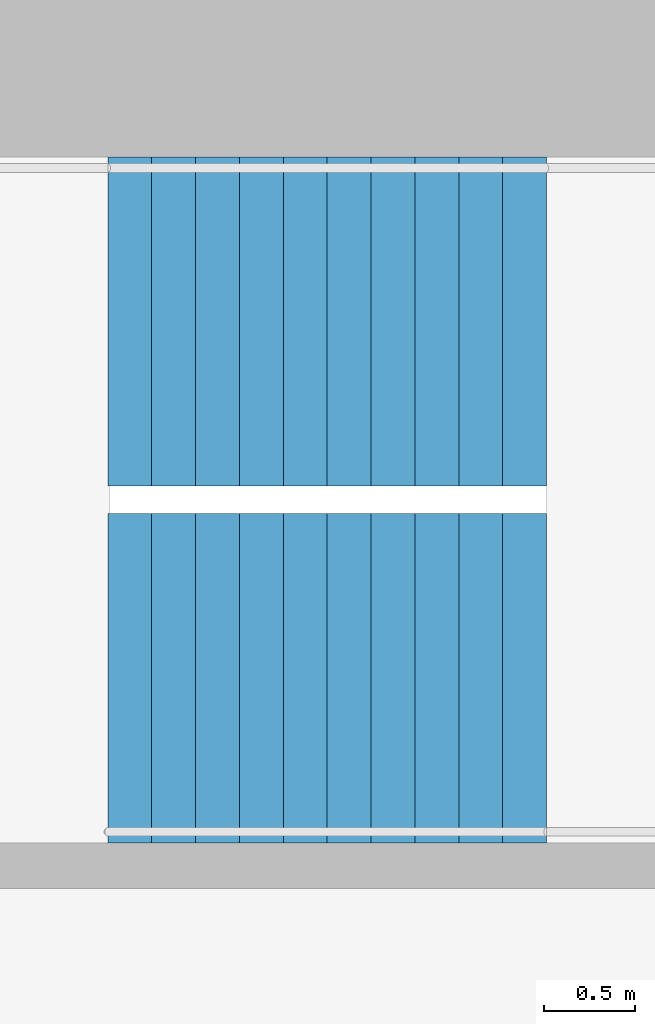
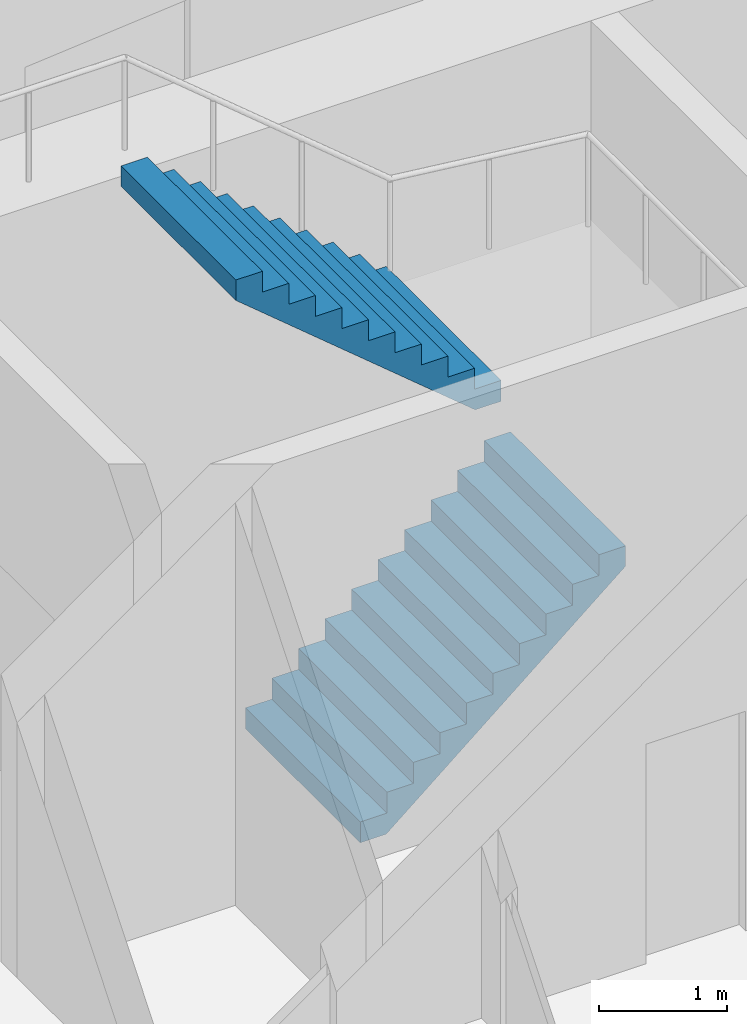
# One storey, part 29 of 33: 2 stair flights, 1 element without a shape of its own.
"""IFC4 building model written with IfcOpenShell, lengths in metres."""

from ifc_helpers import new_model, si_unit, direction, frame, origin, place, context, subcontext, project, spatial, triangles, material, type_object, element, aggregate, save


model = new_model("IFC4")

# Units and contexts
model_context = context("Model", 3, precision=1e-05, world=origin(), true_north=direction((0.0, 1.0)))
body_context = subcontext(model_context, "Body", "Model", "MODEL_VIEW")
ifc_project = project(units=[si_unit("LENGTHUNIT", "METRE"), si_unit("AREAUNIT", "SQUARE_METRE"), si_unit("VOLUMEUNIT", "CUBIC_METRE"), si_unit("PLANEANGLEUNIT", "RADIAN"), si_unit("MASSUNIT", "GRAM", prefix="KILO")], contexts=[model_context])

# Site, building, storey
site_placement = place(None, origin())
site = spatial("IfcSite", under=ifc_project, at=site_placement, CompositionType="ELEMENT")
building_placement = place(site_placement, origin())
building = spatial("IfcBuilding", under=site, at=building_placement, Name="Hakoniwa Tower and Hamabe Station Hall", CompositionType="ELEMENT")
storey_placement = place(building_placement, frame((0.0, 0.0, 228.199951171875)))
storey = spatial("IfcBuildingStorey", under=building, at=storey_placement, Name="L65", CompositionType="ELEMENT", Elevation=228.199951171875)

# Stair, stair flights
ifc_material_1 = material(Name="Concrete C40", Category="concrete")
stair_type = type_object("IfcStairType", Name="ESCAPE STAIR 1800", PredefinedType="HALF_TURN_STAIR", material=ifc_material_1)
stair_placement = place(storey_placement, origin())
stair = element("IfcStair", 1, at=stair_placement, inside=storey, type_object=stair_type, Name="Escape stair ST-1 L65", PredefinedType="HALF_TURN_STAIR")
ifc_material_2 = material(Name="Concrete C40", Category="concrete")
stair_flight_type = type_object("IfcStairFlightType", Name="STAIR FLIGHT 1800", PredefinedType="STRAIGHT", material=ifc_material_2)
stair_flight_1_placement = place(storey_placement, frame((-24.39990234375, 4.64990234375, 0.0), z_axis=(0.0, 0.0, 1.0), x_axis=(1.0, 0.0, 0.0)))
stair_flight_1 = element("IfcStairFlight", 2, at=stair_flight_1_placement, type_object=stair_flight_type, Name="ST-1 flight 1", NumberOfRisers=11, NumberOfTreads=10, PredefinedType="STRAIGHT", RiserHeight=0.2, TreadLength=0.24, context=body_context, shape_type="Tessellation", body=[
    triangles([(0.0, 0.89990234375, 0.0), (0.234130859375, 0.89990234375, 0.0), (0.239990234375, 0.89990234375, 0.0048828125), (0.47998046875, 0.89990234375, 0.204833984375), (0.719970703125, 0.89990234375, 0.40478515625), (0.9599609375, 0.89990234375, 0.60498046875), (1.199951171875, 0.89990234375, 0.804931640625), (1.43994140625, 0.89990234375, 1.0048828125), (1.679931640625, 0.89990234375, 1.204833984375), (1.919921875, 0.89990234375, 1.40478515625), (2.159912109375, 0.89990234375, 1.60498046875), (2.39990234375, 0.89990234375, 1.804931640625), (2.39990234375, 0.89990234375, 2.0), (2.159912109375, 0.89990234375, 2.0), (2.159912109375, 0.89990234375, 1.800048828125), (1.919921875, 0.89990234375, 1.800048828125), (1.919921875, 0.89990234375, 1.60009765625), (1.679931640625, 0.89990234375, 1.60009765625), (1.679931640625, 0.89990234375, 1.39990234375), (1.43994140625, 0.89990234375, 1.39990234375), (1.43994140625, 0.89990234375, 1.199951171875), (1.199951171875, 0.89990234375, 1.199951171875), (1.199951171875, 0.89990234375, 1.0), (0.9599609375, 0.89990234375, 1.0), (0.9599609375, 0.89990234375, 0.800048828125), (0.719970703125, 0.89990234375, 0.800048828125), (0.719970703125, 0.89990234375, 0.60009765625), (0.47998046875, 0.89990234375, 0.60009765625), (0.47998046875, 0.89990234375, 0.39990234375), (0.239990234375, 0.89990234375, 0.39990234375), (0.239990234375, 0.89990234375, 0.199951171875), (0.234130859375, 0.89990234375, 0.199951171875), (0.0, 0.89990234375, 0.199951171875), (0.0, 0.06005859375, 0.0), (0.234130859375, 0.06005859375, 0.0), (0.239990234375, 0.06005859375, 0.0048828125), (0.47998046875, 0.06005859375, 0.204833984375), (0.719970703125, 0.06005859375, 0.40478515625), (0.9599609375, 0.06005859375, 0.60498046875), (1.199951171875, 0.06005859375, 0.804931640625), (1.43994140625, 0.06005859375, 1.0048828125), (1.679931640625, 0.06005859375, 1.204833984375), (1.919921875, 0.06005859375, 1.40478515625), (2.159912109375, 0.06005859375, 1.60498046875), (2.39990234375, 0.06005859375, 1.804931640625), (2.39990234375, 0.06005859375, 2.0), (2.159912109375, 0.06005859375, 2.0), (2.159912109375, 0.06005859375, 1.800048828125), (1.919921875, 0.06005859375, 1.800048828125), (1.919921875, 0.06005859375, 1.60009765625), (1.679931640625, 0.06005859375, 1.60009765625), (1.679931640625, 0.06005859375, 1.39990234375), (1.43994140625, 0.06005859375, 1.39990234375), (1.43994140625, 0.06005859375, 1.199951171875), (1.199951171875, 0.06005859375, 1.199951171875), (1.199951171875, 0.06005859375, 1.0), (0.9599609375, 0.06005859375, 1.0), (0.9599609375, 0.06005859375, 0.800048828125), (0.719970703125, 0.06005859375, 0.800048828125), (0.719970703125, 0.06005859375, 0.60009765625), (0.47998046875, 0.06005859375, 0.60009765625), (0.47998046875, 0.06005859375, 0.39990234375), (0.239990234375, 0.06005859375, 0.39990234375), (0.239990234375, 0.06005859375, 0.199951171875), (0.234130859375, 0.06005859375, 0.199951171875), (0.0, 0.06005859375, 0.199951171875), (0.0, 0.02001953125, 0.0), (0.234130859375, 0.02001953125, 0.0), (0.239990234375, 0.02001953125, 0.0048828125), (0.47998046875, 0.02001953125, 0.204833984375), (0.719970703125, 0.02001953125, 0.40478515625), (0.9599609375, 0.02001953125, 0.60498046875), (1.199951171875, 0.02001953125, 0.804931640625), (1.43994140625, 0.02001953125, 1.0048828125), (1.679931640625, 0.02001953125, 1.204833984375), (1.919921875, 0.02001953125, 1.40478515625), (2.159912109375, 0.02001953125, 1.60498046875), (2.39990234375, 0.02001953125, 1.804931640625), (2.39990234375, 0.02001953125, 2.0), (2.159912109375, 0.02001953125, 2.0), (2.159912109375, 0.02001953125, 1.800048828125), (1.919921875, 0.02001953125, 1.800048828125), (1.919921875, 0.02001953125, 1.60009765625), (1.679931640625, 0.02001953125, 1.60009765625), (1.679931640625, 0.02001953125, 1.39990234375), (1.43994140625, 0.02001953125, 1.39990234375), (1.43994140625, 0.02001953125, 1.199951171875), (1.199951171875, 0.02001953125, 1.199951171875), (1.199951171875, 0.02001953125, 1.0), (0.9599609375, 0.02001953125, 1.0), (0.9599609375, 0.02001953125, 0.800048828125), (0.719970703125, 0.02001953125, 0.800048828125), (0.719970703125, 0.02001953125, 0.60009765625), (0.47998046875, 0.02001953125, 0.60009765625), (0.47998046875, 0.02001953125, 0.39990234375), (0.239990234375, 0.02001953125, 0.39990234375), (0.239990234375, 0.02001953125, 0.199951171875), (0.234130859375, 0.02001953125, 0.199951171875), (0.0, 0.02001953125, 0.199951171875), (0.0, -0.02001953125, 0.0), (0.234130859375, -0.02001953125, 0.0), (0.239990234375, -0.02001953125, 0.0048828125), (0.47998046875, -0.02001953125, 0.204833984375), (0.719970703125, -0.02001953125, 0.40478515625), (0.9599609375, -0.02001953125, 0.60498046875), (1.199951171875, -0.02001953125, 0.804931640625), (1.43994140625, -0.02001953125, 1.0048828125), (1.679931640625, -0.02001953125, 1.204833984375), (1.919921875, -0.02001953125, 1.40478515625), (2.159912109375, -0.02001953125, 1.60498046875), (2.39990234375, -0.02001953125, 1.804931640625), (2.39990234375, -0.02001953125, 2.0), (2.159912109375, -0.02001953125, 2.0), (2.159912109375, -0.02001953125, 1.800048828125), (1.919921875, -0.02001953125, 1.800048828125), (1.919921875, -0.02001953125, 1.60009765625), (1.679931640625, -0.02001953125, 1.60009765625), (1.679931640625, -0.02001953125, 1.39990234375), (1.43994140625, -0.02001953125, 1.39990234375), (1.43994140625, -0.02001953125, 1.199951171875), (1.199951171875, -0.02001953125, 1.199951171875), (1.199951171875, -0.02001953125, 1.0), (0.9599609375, -0.02001953125, 1.0), (0.9599609375, -0.02001953125, 0.800048828125), (0.719970703125, -0.02001953125, 0.800048828125), (0.719970703125, -0.02001953125, 0.60009765625), (0.47998046875, -0.02001953125, 0.60009765625), (0.47998046875, -0.02001953125, 0.39990234375), (0.239990234375, -0.02001953125, 0.39990234375), (0.239990234375, -0.02001953125, 0.199951171875), (0.234130859375, -0.02001953125, 0.199951171875), (0.0, -0.02001953125, 0.199951171875), (0.0, -0.06005859375, 0.0), (0.234130859375, -0.06005859375, 0.0), (0.239990234375, -0.06005859375, 0.0048828125), (0.47998046875, -0.06005859375, 0.204833984375), (0.719970703125, -0.06005859375, 0.40478515625), (0.9599609375, -0.06005859375, 0.60498046875), (1.199951171875, -0.06005859375, 0.804931640625), (1.43994140625, -0.06005859375, 1.0048828125), (1.679931640625, -0.06005859375, 1.204833984375), (1.919921875, -0.06005859375, 1.40478515625), (2.159912109375, -0.06005859375, 1.60498046875), (2.39990234375, -0.06005859375, 1.804931640625), (2.39990234375, -0.06005859375, 2.0), (2.159912109375, -0.06005859375, 2.0), (2.159912109375, -0.06005859375, 1.800048828125), (1.919921875, -0.06005859375, 1.800048828125), (1.919921875, -0.06005859375, 1.60009765625), (1.679931640625, -0.06005859375, 1.60009765625), (1.679931640625, -0.06005859375, 1.39990234375), (1.43994140625, -0.06005859375, 1.39990234375), (1.43994140625, -0.06005859375, 1.199951171875), (1.199951171875, -0.06005859375, 1.199951171875), (1.199951171875, -0.06005859375, 1.0), (0.9599609375, -0.06005859375, 1.0), (0.9599609375, -0.06005859375, 0.800048828125), (0.719970703125, -0.06005859375, 0.800048828125), (0.719970703125, -0.06005859375, 0.60009765625), (0.47998046875, -0.06005859375, 0.60009765625), (0.47998046875, -0.06005859375, 0.39990234375), (0.239990234375, -0.06005859375, 0.39990234375), (0.239990234375, -0.06005859375, 0.199951171875), (0.234130859375, -0.06005859375, 0.199951171875), (0.0, -0.06005859375, 0.199951171875), (0.0, -0.89990234375, 0.0), (0.234130859375, -0.89990234375, 0.0), (0.239990234375, -0.89990234375, 0.0048828125), (0.47998046875, -0.89990234375, 0.204833984375), (0.719970703125, -0.89990234375, 0.40478515625), (0.9599609375, -0.89990234375, 0.60498046875), (1.199951171875, -0.89990234375, 0.804931640625), (1.43994140625, -0.89990234375, 1.0048828125), (1.679931640625, -0.89990234375, 1.204833984375), (1.919921875, -0.89990234375, 1.40478515625), (2.159912109375, -0.89990234375, 1.60498046875), (2.39990234375, -0.89990234375, 1.804931640625), (2.39990234375, -0.89990234375, 2.0), (2.159912109375, -0.89990234375, 2.0), (2.159912109375, -0.89990234375, 1.800048828125), (1.919921875, -0.89990234375, 1.800048828125), (1.919921875, -0.89990234375, 1.60009765625), (1.679931640625, -0.89990234375, 1.60009765625), (1.679931640625, -0.89990234375, 1.39990234375), (1.43994140625, -0.89990234375, 1.39990234375), (1.43994140625, -0.89990234375, 1.199951171875), (1.199951171875, -0.89990234375, 1.199951171875), (1.199951171875, -0.89990234375, 1.0), (0.9599609375, -0.89990234375, 1.0), (0.9599609375, -0.89990234375, 0.800048828125), (0.719970703125, -0.89990234375, 0.800048828125), (0.719970703125, -0.89990234375, 0.60009765625), (0.47998046875, -0.89990234375, 0.60009765625), (0.47998046875, -0.89990234375, 0.39990234375), (0.239990234375, -0.89990234375, 0.39990234375), (0.239990234375, -0.89990234375, 0.199951171875), (0.234130859375, -0.89990234375, 0.199951171875), (0.0, -0.89990234375, 0.199951171875)], [[2, 33, 32], [167, 197, 198], [2, 1, 33], [167, 198, 166], [3, 32, 31], [168, 196, 197], [3, 2, 32], [168, 197, 167], [4, 30, 29], [169, 194, 195], [4, 31, 30], [169, 195, 196], [4, 3, 31], [169, 196, 168], [5, 28, 27], [170, 192, 193], [5, 29, 28], [170, 193, 194], [5, 4, 29], [170, 194, 169], [6, 26, 25], [171, 190, 191], [6, 27, 26], [171, 191, 192], [6, 5, 27], [171, 192, 170], [7, 24, 23], [172, 188, 189], [7, 25, 24], [172, 189, 190], [7, 6, 25], [172, 190, 171], [8, 22, 21], [173, 186, 187], [8, 23, 22], [173, 187, 188], [8, 7, 23], [173, 188, 172], [9, 20, 19], [174, 184, 185], [9, 21, 20], [174, 185, 186], [9, 8, 21], [174, 186, 173], [10, 18, 17], [175, 182, 183], [10, 19, 18], [175, 183, 184], [10, 9, 19], [175, 184, 174], [11, 16, 15], [176, 180, 181], [11, 17, 16], [176, 181, 182], [11, 10, 17], [176, 182, 175], [12, 14, 13], [177, 178, 179], [12, 15, 14], [177, 179, 180], [12, 11, 15], [177, 180, 176], [1, 2, 35], [1, 35, 34], [34, 35, 68], [34, 68, 67], [67, 68, 101], [67, 101, 100], [100, 101, 134], [100, 134, 133], [133, 134, 167], [133, 167, 166], [2, 3, 36], [2, 36, 35], [35, 36, 69], [35, 69, 68], [68, 69, 102], [68, 102, 101], [101, 102, 135], [101, 135, 134], [134, 135, 168], [134, 168, 167], [3, 4, 37], [3, 37, 36], [36, 37, 70], [36, 70, 69], [69, 70, 103], [69, 103, 102], [102, 103, 136], [102, 136, 135], [135, 136, 169], [135, 169, 168], [4, 5, 38], [4, 38, 37], [37, 38, 71], [37, 71, 70], [70, 71, 104], [70, 104, 103], [103, 104, 137], [103, 137, 136], [136, 137, 170], [136, 170, 169], [5, 6, 39], [5, 39, 38], [38, 39, 72], [38, 72, 71], [71, 72, 105], [71, 105, 104], [104, 105, 138], [104, 138, 137], [137, 138, 171], [137, 171, 170], [6, 7, 40], [6, 40, 39], [39, 40, 73], [39, 73, 72], [72, 73, 106], [72, 106, 105], [105, 106, 139], [105, 139, 138], [138, 139, 172], [138, 172, 171], [7, 8, 41], [7, 41, 40], [40, 41, 74], [40, 74, 73], [73, 74, 107], [73, 107, 106], [106, 107, 140], [106, 140, 139], [139, 140, 173], [139, 173, 172], [8, 9, 42], [8, 42, 41], [41, 42, 75], [41, 75, 74], [74, 75, 108], [74, 108, 107], [107, 108, 141], [107, 141, 140], [140, 141, 174], [140, 174, 173], [9, 10, 43], [9, 43, 42], [42, 43, 76], [42, 76, 75], [75, 76, 109], [75, 109, 108], [108, 109, 142], [108, 142, 141], [141, 142, 175], [141, 175, 174], [10, 11, 44], [10, 44, 43], [43, 44, 77], [43, 77, 76], [76, 77, 110], [76, 110, 109], [109, 110, 143], [109, 143, 142], [142, 143, 176], [142, 176, 175], [11, 12, 45], [11, 45, 44], [44, 45, 78], [44, 78, 77], [77, 78, 111], [77, 111, 110], [110, 111, 144], [110, 144, 143], [143, 144, 177], [143, 177, 176], [12, 13, 46], [12, 46, 45], [45, 46, 79], [45, 79, 78], [78, 79, 112], [78, 112, 111], [111, 112, 145], [111, 145, 144], [144, 145, 178], [144, 178, 177], [13, 14, 47], [13, 47, 46], [46, 47, 80], [46, 80, 79], [79, 80, 113], [79, 113, 112], [112, 113, 146], [112, 146, 145], [145, 146, 179], [145, 179, 178], [14, 15, 48], [14, 48, 47], [47, 48, 81], [47, 81, 80], [80, 81, 114], [80, 114, 113], [113, 114, 147], [113, 147, 146], [146, 147, 180], [146, 180, 179], [15, 16, 49], [15, 49, 48], [48, 49, 82], [48, 82, 81], [81, 82, 115], [81, 115, 114], [114, 115, 148], [114, 148, 147], [147, 148, 181], [147, 181, 180], [16, 17, 50], [16, 50, 49], [49, 50, 83], [49, 83, 82], [82, 83, 116], [82, 116, 115], [115, 116, 149], [115, 149, 148], [148, 149, 182], [148, 182, 181], [17, 18, 51], [17, 51, 50], [50, 51, 84], [50, 84, 83], [83, 84, 117], [83, 117, 116], [116, 117, 150], [116, 150, 149], [149, 150, 183], [149, 183, 182], [18, 19, 52], [18, 52, 51], [51, 52, 85], [51, 85, 84], [84, 85, 118], [84, 118, 117], [117, 118, 151], [117, 151, 150], [150, 151, 184], [150, 184, 183], [19, 20, 53], [19, 53, 52], [52, 53, 86], [52, 86, 85], [85, 86, 119], [85, 119, 118], [118, 119, 152], [118, 152, 151], [151, 152, 185], [151, 185, 184], [20, 21, 54], [20, 54, 53], [53, 54, 87], [53, 87, 86], [86, 87, 120], [86, 120, 119], [119, 120, 153], [119, 153, 152], [152, 153, 186], [152, 186, 185], [21, 22, 55], [21, 55, 54], [54, 55, 88], [54, 88, 87], [87, 88, 121], [87, 121, 120], [120, 121, 154], [120, 154, 153], [153, 154, 187], [153, 187, 186], [22, 23, 56], [22, 56, 55], [55, 56, 89], [55, 89, 88], [88, 89, 122], [88, 122, 121], [121, 122, 155], [121, 155, 154], [154, 155, 188], [154, 188, 187], [23, 24, 57], [23, 57, 56], [56, 57, 90], [56, 90, 89], [89, 90, 123], [89, 123, 122], [122, 123, 156], [122, 156, 155], [155, 156, 189], [155, 189, 188], [24, 25, 58], [24, 58, 57], [57, 58, 91], [57, 91, 90], [90, 91, 124], [90, 124, 123], [123, 124, 157], [123, 157, 156], [156, 157, 190], [156, 190, 189], [25, 26, 59], [25, 59, 58], [58, 59, 92], [58, 92, 91], [91, 92, 125], [91, 125, 124], [124, 125, 158], [124, 158, 157], [157, 158, 191], [157, 191, 190], [26, 27, 60], [26, 60, 59], [59, 60, 93], [59, 93, 92], [92, 93, 126], [92, 126, 125], [125, 126, 159], [125, 159, 158], [158, 159, 192], [158, 192, 191], [27, 28, 61], [27, 61, 60], [60, 61, 94], [60, 94, 93], [93, 94, 127], [93, 127, 126], [126, 127, 160], [126, 160, 159], [159, 160, 193], [159, 193, 192], [28, 29, 62], [28, 62, 61], [61, 62, 95], [61, 95, 94], [94, 95, 128], [94, 128, 127], [127, 128, 161], [127, 161, 160], [160, 161, 194], [160, 194, 193], [29, 30, 63], [29, 63, 62], [62, 63, 96], [62, 96, 95], [95, 96, 129], [95, 129, 128], [128, 129, 162], [128, 162, 161], [161, 162, 195], [161, 195, 194], [30, 31, 64], [30, 64, 63], [63, 64, 97], [63, 97, 96], [96, 97, 130], [96, 130, 129], [129, 130, 163], [129, 163, 162], [162, 163, 196], [162, 196, 195], [31, 32, 65], [31, 65, 64], [64, 65, 98], [64, 98, 97], [97, 98, 131], [97, 131, 130], [130, 131, 164], [130, 164, 163], [163, 164, 197], [163, 197, 196], [32, 33, 66], [32, 66, 65], [65, 66, 99], [65, 99, 98], [98, 99, 132], [98, 132, 131], [131, 132, 165], [131, 165, 164], [164, 165, 198], [164, 198, 197], [33, 1, 34], [33, 34, 66], [66, 34, 67], [66, 67, 99], [99, 67, 100], [99, 100, 132], [132, 100, 133], [132, 133, 165], [165, 133, 166], [165, 166, 198]], closed=True),
])
stair_flight_2_placement = place(storey_placement, frame((-22.0, 6.60009765625, 2.199951171875), z_axis=(0.0, 0.0, 1.0), x_axis=(-1.0, 0.0, 0.0)))
stair_flight_2 = element("IfcStairFlight", 3, at=stair_flight_2_placement, type_object=stair_flight_type, Name="ST-1 flight 2", NumberOfRisers=11, NumberOfTreads=10, PredefinedType="STRAIGHT", RiserHeight=0.2, TreadLength=0.24, context=body_context, shape_type="Tessellation", body=[
    triangles([(0.0, 0.89990234375, 0.0), (0.234130859375, 0.89990234375, 0.0), (0.239990234375, 0.89990234375, 0.0048828125), (0.47998046875, 0.89990234375, 0.204833984375), (0.719970703125, 0.89990234375, 0.40478515625), (0.9599609375, 0.89990234375, 0.60498046875), (1.199951171875, 0.89990234375, 0.804931640625), (1.43994140625, 0.89990234375, 1.0048828125), (1.679931640625, 0.89990234375, 1.204833984375), (1.919921875, 0.89990234375, 1.40478515625), (2.159912109375, 0.89990234375, 1.60498046875), (2.39990234375, 0.89990234375, 1.804931640625), (2.39990234375, 0.89990234375, 2.0), (2.159912109375, 0.89990234375, 2.0), (2.159912109375, 0.89990234375, 1.800048828125), (1.919921875, 0.89990234375, 1.800048828125), (1.919921875, 0.89990234375, 1.60009765625), (1.679931640625, 0.89990234375, 1.60009765625), (1.679931640625, 0.89990234375, 1.39990234375), (1.43994140625, 0.89990234375, 1.39990234375), (1.43994140625, 0.89990234375, 1.199951171875), (1.199951171875, 0.89990234375, 1.199951171875), (1.199951171875, 0.89990234375, 1.0), (0.9599609375, 0.89990234375, 1.0), (0.9599609375, 0.89990234375, 0.800048828125), (0.719970703125, 0.89990234375, 0.800048828125), (0.719970703125, 0.89990234375, 0.60009765625), (0.47998046875, 0.89990234375, 0.60009765625), (0.47998046875, 0.89990234375, 0.39990234375), (0.239990234375, 0.89990234375, 0.39990234375), (0.239990234375, 0.89990234375, 0.199951171875), (0.234130859375, 0.89990234375, 0.199951171875), (0.0, 0.89990234375, 0.199951171875), (0.0, 0.06005859375, 0.0), (0.234130859375, 0.06005859375, 0.0), (0.239990234375, 0.06005859375, 0.0048828125), (0.47998046875, 0.06005859375, 0.204833984375), (0.719970703125, 0.06005859375, 0.40478515625), (0.9599609375, 0.06005859375, 0.60498046875), (1.199951171875, 0.06005859375, 0.804931640625), (1.43994140625, 0.06005859375, 1.0048828125), (1.679931640625, 0.06005859375, 1.204833984375), (1.919921875, 0.06005859375, 1.40478515625), (2.159912109375, 0.06005859375, 1.60498046875), (2.39990234375, 0.06005859375, 1.804931640625), (2.39990234375, 0.06005859375, 2.0), (2.159912109375, 0.06005859375, 2.0), (2.159912109375, 0.06005859375, 1.800048828125), (1.919921875, 0.06005859375, 1.800048828125), (1.919921875, 0.06005859375, 1.60009765625), (1.679931640625, 0.06005859375, 1.60009765625), (1.679931640625, 0.06005859375, 1.39990234375), (1.43994140625, 0.06005859375, 1.39990234375), (1.43994140625, 0.06005859375, 1.199951171875), (1.199951171875, 0.06005859375, 1.199951171875), (1.199951171875, 0.06005859375, 1.0), (0.9599609375, 0.06005859375, 1.0), (0.9599609375, 0.06005859375, 0.800048828125), (0.719970703125, 0.06005859375, 0.800048828125), (0.719970703125, 0.06005859375, 0.60009765625), (0.47998046875, 0.06005859375, 0.60009765625), (0.47998046875, 0.06005859375, 0.39990234375), (0.239990234375, 0.06005859375, 0.39990234375), (0.239990234375, 0.06005859375, 0.199951171875), (0.234130859375, 0.06005859375, 0.199951171875), (0.0, 0.06005859375, 0.199951171875), (0.0, 0.02001953125, 0.0), (0.234130859375, 0.02001953125, 0.0), (0.239990234375, 0.02001953125, 0.0048828125), (0.47998046875, 0.02001953125, 0.204833984375), (0.719970703125, 0.02001953125, 0.40478515625), (0.9599609375, 0.02001953125, 0.60498046875), (1.199951171875, 0.02001953125, 0.804931640625), (1.43994140625, 0.02001953125, 1.0048828125), (1.679931640625, 0.02001953125, 1.204833984375), (1.919921875, 0.02001953125, 1.40478515625), (2.159912109375, 0.02001953125, 1.60498046875), (2.39990234375, 0.02001953125, 1.804931640625), (2.39990234375, 0.02001953125, 2.0), (2.159912109375, 0.02001953125, 2.0), (2.159912109375, 0.02001953125, 1.800048828125), (1.919921875, 0.02001953125, 1.800048828125), (1.919921875, 0.02001953125, 1.60009765625), (1.679931640625, 0.02001953125, 1.60009765625), (1.679931640625, 0.02001953125, 1.39990234375), (1.43994140625, 0.02001953125, 1.39990234375), (1.43994140625, 0.02001953125, 1.199951171875), (1.199951171875, 0.02001953125, 1.199951171875), (1.199951171875, 0.02001953125, 1.0), (0.9599609375, 0.02001953125, 1.0), (0.9599609375, 0.02001953125, 0.800048828125), (0.719970703125, 0.02001953125, 0.800048828125), (0.719970703125, 0.02001953125, 0.60009765625), (0.47998046875, 0.02001953125, 0.60009765625), (0.47998046875, 0.02001953125, 0.39990234375), (0.239990234375, 0.02001953125, 0.39990234375), (0.239990234375, 0.02001953125, 0.199951171875), (0.234130859375, 0.02001953125, 0.199951171875), (0.0, 0.02001953125, 0.199951171875), (0.0, -0.02001953125, 0.0), (0.234130859375, -0.02001953125, 0.0), (0.239990234375, -0.02001953125, 0.0048828125), (0.47998046875, -0.02001953125, 0.204833984375), (0.719970703125, -0.02001953125, 0.40478515625), (0.9599609375, -0.02001953125, 0.60498046875), (1.199951171875, -0.02001953125, 0.804931640625), (1.43994140625, -0.02001953125, 1.0048828125), (1.679931640625, -0.02001953125, 1.204833984375), (1.919921875, -0.02001953125, 1.40478515625), (2.159912109375, -0.02001953125, 1.60498046875), (2.39990234375, -0.02001953125, 1.804931640625), (2.39990234375, -0.02001953125, 2.0), (2.159912109375, -0.02001953125, 2.0), (2.159912109375, -0.02001953125, 1.800048828125), (1.919921875, -0.02001953125, 1.800048828125), (1.919921875, -0.02001953125, 1.60009765625), (1.679931640625, -0.02001953125, 1.60009765625), (1.679931640625, -0.02001953125, 1.39990234375), (1.43994140625, -0.02001953125, 1.39990234375), (1.43994140625, -0.02001953125, 1.199951171875), (1.199951171875, -0.02001953125, 1.199951171875), (1.199951171875, -0.02001953125, 1.0), (0.9599609375, -0.02001953125, 1.0), (0.9599609375, -0.02001953125, 0.800048828125), (0.719970703125, -0.02001953125, 0.800048828125), (0.719970703125, -0.02001953125, 0.60009765625), (0.47998046875, -0.02001953125, 0.60009765625), (0.47998046875, -0.02001953125, 0.39990234375), (0.239990234375, -0.02001953125, 0.39990234375), (0.239990234375, -0.02001953125, 0.199951171875), (0.234130859375, -0.02001953125, 0.199951171875), (0.0, -0.02001953125, 0.199951171875), (0.0, -0.06005859375, 0.0), (0.234130859375, -0.06005859375, 0.0), (0.239990234375, -0.06005859375, 0.0048828125), (0.47998046875, -0.06005859375, 0.204833984375), (0.719970703125, -0.06005859375, 0.40478515625), (0.9599609375, -0.06005859375, 0.60498046875), (1.199951171875, -0.06005859375, 0.804931640625), (1.43994140625, -0.06005859375, 1.0048828125), (1.679931640625, -0.06005859375, 1.204833984375), (1.919921875, -0.06005859375, 1.40478515625), (2.159912109375, -0.06005859375, 1.60498046875), (2.39990234375, -0.06005859375, 1.804931640625), (2.39990234375, -0.06005859375, 2.0), (2.159912109375, -0.06005859375, 2.0), (2.159912109375, -0.06005859375, 1.800048828125), (1.919921875, -0.06005859375, 1.800048828125), (1.919921875, -0.06005859375, 1.60009765625), (1.679931640625, -0.06005859375, 1.60009765625), (1.679931640625, -0.06005859375, 1.39990234375), (1.43994140625, -0.06005859375, 1.39990234375), (1.43994140625, -0.06005859375, 1.199951171875), (1.199951171875, -0.06005859375, 1.199951171875), (1.199951171875, -0.06005859375, 1.0), (0.9599609375, -0.06005859375, 1.0), (0.9599609375, -0.06005859375, 0.800048828125), (0.719970703125, -0.06005859375, 0.800048828125), (0.719970703125, -0.06005859375, 0.60009765625), (0.47998046875, -0.06005859375, 0.60009765625), (0.47998046875, -0.06005859375, 0.39990234375), (0.239990234375, -0.06005859375, 0.39990234375), (0.239990234375, -0.06005859375, 0.199951171875), (0.234130859375, -0.06005859375, 0.199951171875), (0.0, -0.06005859375, 0.199951171875), (0.0, -0.89990234375, 0.0), (0.234130859375, -0.89990234375, 0.0), (0.239990234375, -0.89990234375, 0.0048828125), (0.47998046875, -0.89990234375, 0.204833984375), (0.719970703125, -0.89990234375, 0.40478515625), (0.9599609375, -0.89990234375, 0.60498046875), (1.199951171875, -0.89990234375, 0.804931640625), (1.43994140625, -0.89990234375, 1.0048828125), (1.679931640625, -0.89990234375, 1.204833984375), (1.919921875, -0.89990234375, 1.40478515625), (2.159912109375, -0.89990234375, 1.60498046875), (2.39990234375, -0.89990234375, 1.804931640625), (2.39990234375, -0.89990234375, 2.0), (2.159912109375, -0.89990234375, 2.0), (2.159912109375, -0.89990234375, 1.800048828125), (1.919921875, -0.89990234375, 1.800048828125), (1.919921875, -0.89990234375, 1.60009765625), (1.679931640625, -0.89990234375, 1.60009765625), (1.679931640625, -0.89990234375, 1.39990234375), (1.43994140625, -0.89990234375, 1.39990234375), (1.43994140625, -0.89990234375, 1.199951171875), (1.199951171875, -0.89990234375, 1.199951171875), (1.199951171875, -0.89990234375, 1.0), (0.9599609375, -0.89990234375, 1.0), (0.9599609375, -0.89990234375, 0.800048828125), (0.719970703125, -0.89990234375, 0.800048828125), (0.719970703125, -0.89990234375, 0.60009765625), (0.47998046875, -0.89990234375, 0.60009765625), (0.47998046875, -0.89990234375, 0.39990234375), (0.239990234375, -0.89990234375, 0.39990234375), (0.239990234375, -0.89990234375, 0.199951171875), (0.234130859375, -0.89990234375, 0.199951171875), (0.0, -0.89990234375, 0.199951171875)], [[2, 33, 32], [167, 197, 198], [2, 1, 33], [167, 198, 166], [3, 32, 31], [168, 196, 197], [3, 2, 32], [168, 197, 167], [4, 30, 29], [169, 194, 195], [4, 31, 30], [169, 195, 196], [4, 3, 31], [169, 196, 168], [5, 28, 27], [170, 192, 193], [5, 29, 28], [170, 193, 194], [5, 4, 29], [170, 194, 169], [6, 26, 25], [171, 190, 191], [6, 27, 26], [171, 191, 192], [6, 5, 27], [171, 192, 170], [7, 24, 23], [172, 188, 189], [7, 25, 24], [172, 189, 190], [7, 6, 25], [172, 190, 171], [8, 22, 21], [173, 186, 187], [8, 23, 22], [173, 187, 188], [8, 7, 23], [173, 188, 172], [9, 20, 19], [174, 184, 185], [9, 21, 20], [174, 185, 186], [9, 8, 21], [174, 186, 173], [10, 18, 17], [175, 182, 183], [10, 19, 18], [175, 183, 184], [10, 9, 19], [175, 184, 174], [11, 16, 15], [176, 180, 181], [11, 17, 16], [176, 181, 182], [11, 10, 17], [176, 182, 175], [12, 14, 13], [177, 178, 179], [12, 15, 14], [177, 179, 180], [12, 11, 15], [177, 180, 176], [1, 2, 35], [1, 35, 34], [34, 35, 68], [34, 68, 67], [67, 68, 101], [67, 101, 100], [100, 101, 134], [100, 134, 133], [133, 134, 167], [133, 167, 166], [2, 3, 36], [2, 36, 35], [35, 36, 69], [35, 69, 68], [68, 69, 102], [68, 102, 101], [101, 102, 135], [101, 135, 134], [134, 135, 168], [134, 168, 167], [3, 4, 37], [3, 37, 36], [36, 37, 70], [36, 70, 69], [69, 70, 103], [69, 103, 102], [102, 103, 136], [102, 136, 135], [135, 136, 169], [135, 169, 168], [4, 5, 38], [4, 38, 37], [37, 38, 71], [37, 71, 70], [70, 71, 104], [70, 104, 103], [103, 104, 137], [103, 137, 136], [136, 137, 170], [136, 170, 169], [5, 6, 39], [5, 39, 38], [38, 39, 72], [38, 72, 71], [71, 72, 105], [71, 105, 104], [104, 105, 138], [104, 138, 137], [137, 138, 171], [137, 171, 170], [6, 7, 40], [6, 40, 39], [39, 40, 73], [39, 73, 72], [72, 73, 106], [72, 106, 105], [105, 106, 139], [105, 139, 138], [138, 139, 172], [138, 172, 171], [7, 8, 41], [7, 41, 40], [40, 41, 74], [40, 74, 73], [73, 74, 107], [73, 107, 106], [106, 107, 140], [106, 140, 139], [139, 140, 173], [139, 173, 172], [8, 9, 42], [8, 42, 41], [41, 42, 75], [41, 75, 74], [74, 75, 108], [74, 108, 107], [107, 108, 141], [107, 141, 140], [140, 141, 174], [140, 174, 173], [9, 10, 43], [9, 43, 42], [42, 43, 76], [42, 76, 75], [75, 76, 109], [75, 109, 108], [108, 109, 142], [108, 142, 141], [141, 142, 175], [141, 175, 174], [10, 11, 44], [10, 44, 43], [43, 44, 77], [43, 77, 76], [76, 77, 110], [76, 110, 109], [109, 110, 143], [109, 143, 142], [142, 143, 176], [142, 176, 175], [11, 12, 45], [11, 45, 44], [44, 45, 78], [44, 78, 77], [77, 78, 111], [77, 111, 110], [110, 111, 144], [110, 144, 143], [143, 144, 177], [143, 177, 176], [12, 13, 46], [12, 46, 45], [45, 46, 79], [45, 79, 78], [78, 79, 112], [78, 112, 111], [111, 112, 145], [111, 145, 144], [144, 145, 178], [144, 178, 177], [13, 14, 47], [13, 47, 46], [46, 47, 80], [46, 80, 79], [79, 80, 113], [79, 113, 112], [112, 113, 146], [112, 146, 145], [145, 146, 179], [145, 179, 178], [14, 15, 48], [14, 48, 47], [47, 48, 81], [47, 81, 80], [80, 81, 114], [80, 114, 113], [113, 114, 147], [113, 147, 146], [146, 147, 180], [146, 180, 179], [15, 16, 49], [15, 49, 48], [48, 49, 82], [48, 82, 81], [81, 82, 115], [81, 115, 114], [114, 115, 148], [114, 148, 147], [147, 148, 181], [147, 181, 180], [16, 17, 50], [16, 50, 49], [49, 50, 83], [49, 83, 82], [82, 83, 116], [82, 116, 115], [115, 116, 149], [115, 149, 148], [148, 149, 182], [148, 182, 181], [17, 18, 51], [17, 51, 50], [50, 51, 84], [50, 84, 83], [83, 84, 117], [83, 117, 116], [116, 117, 150], [116, 150, 149], [149, 150, 183], [149, 183, 182], [18, 19, 52], [18, 52, 51], [51, 52, 85], [51, 85, 84], [84, 85, 118], [84, 118, 117], [117, 118, 151], [117, 151, 150], [150, 151, 184], [150, 184, 183], [19, 20, 53], [19, 53, 52], [52, 53, 86], [52, 86, 85], [85, 86, 119], [85, 119, 118], [118, 119, 152], [118, 152, 151], [151, 152, 185], [151, 185, 184], [20, 21, 54], [20, 54, 53], [53, 54, 87], [53, 87, 86], [86, 87, 120], [86, 120, 119], [119, 120, 153], [119, 153, 152], [152, 153, 186], [152, 186, 185], [21, 22, 55], [21, 55, 54], [54, 55, 88], [54, 88, 87], [87, 88, 121], [87, 121, 120], [120, 121, 154], [120, 154, 153], [153, 154, 187], [153, 187, 186], [22, 23, 56], [22, 56, 55], [55, 56, 89], [55, 89, 88], [88, 89, 122], [88, 122, 121], [121, 122, 155], [121, 155, 154], [154, 155, 188], [154, 188, 187], [23, 24, 57], [23, 57, 56], [56, 57, 90], [56, 90, 89], [89, 90, 123], [89, 123, 122], [122, 123, 156], [122, 156, 155], [155, 156, 189], [155, 189, 188], [24, 25, 58], [24, 58, 57], [57, 58, 91], [57, 91, 90], [90, 91, 124], [90, 124, 123], [123, 124, 157], [123, 157, 156], [156, 157, 190], [156, 190, 189], [25, 26, 59], [25, 59, 58], [58, 59, 92], [58, 92, 91], [91, 92, 125], [91, 125, 124], [124, 125, 158], [124, 158, 157], [157, 158, 191], [157, 191, 190], [26, 27, 60], [26, 60, 59], [59, 60, 93], [59, 93, 92], [92, 93, 126], [92, 126, 125], [125, 126, 159], [125, 159, 158], [158, 159, 192], [158, 192, 191], [27, 28, 61], [27, 61, 60], [60, 61, 94], [60, 94, 93], [93, 94, 127], [93, 127, 126], [126, 127, 160], [126, 160, 159], [159, 160, 193], [159, 193, 192], [28, 29, 62], [28, 62, 61], [61, 62, 95], [61, 95, 94], [94, 95, 128], [94, 128, 127], [127, 128, 161], [127, 161, 160], [160, 161, 194], [160, 194, 193], [29, 30, 63], [29, 63, 62], [62, 63, 96], [62, 96, 95], [95, 96, 129], [95, 129, 128], [128, 129, 162], [128, 162, 161], [161, 162, 195], [161, 195, 194], [30, 31, 64], [30, 64, 63], [63, 64, 97], [63, 97, 96], [96, 97, 130], [96, 130, 129], [129, 130, 163], [129, 163, 162], [162, 163, 196], [162, 196, 195], [31, 32, 65], [31, 65, 64], [64, 65, 98], [64, 98, 97], [97, 98, 131], [97, 131, 130], [130, 131, 164], [130, 164, 163], [163, 164, 197], [163, 197, 196], [32, 33, 66], [32, 66, 65], [65, 66, 99], [65, 99, 98], [98, 99, 132], [98, 132, 131], [131, 132, 165], [131, 165, 164], [164, 165, 198], [164, 198, 197], [33, 1, 34], [33, 34, 66], [66, 34, 67], [66, 67, 99], [99, 67, 100], [99, 100, 132], [132, 100, 133], [132, 133, 165], [165, 133, 166], [165, 166, 198]], closed=True),
])
aggregate(stair, [stair_flight_1, stair_flight_2])

save(model, "model.ifc")
